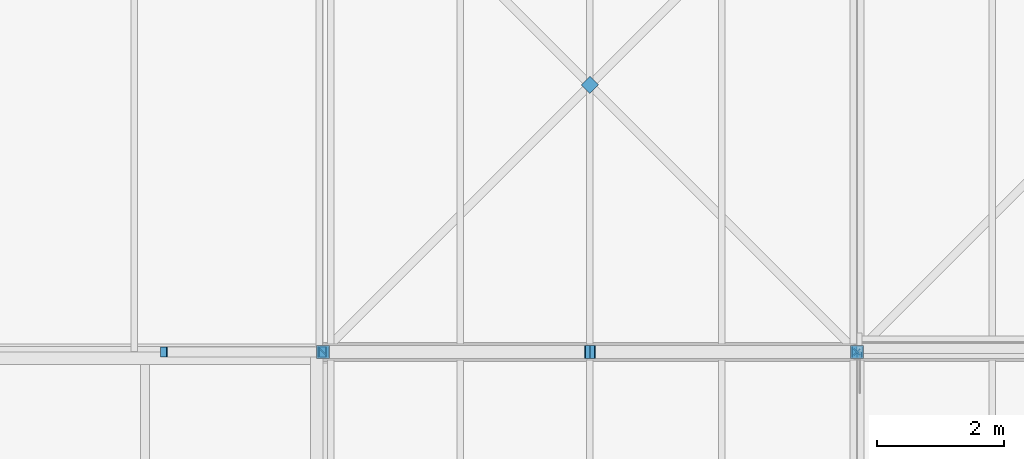
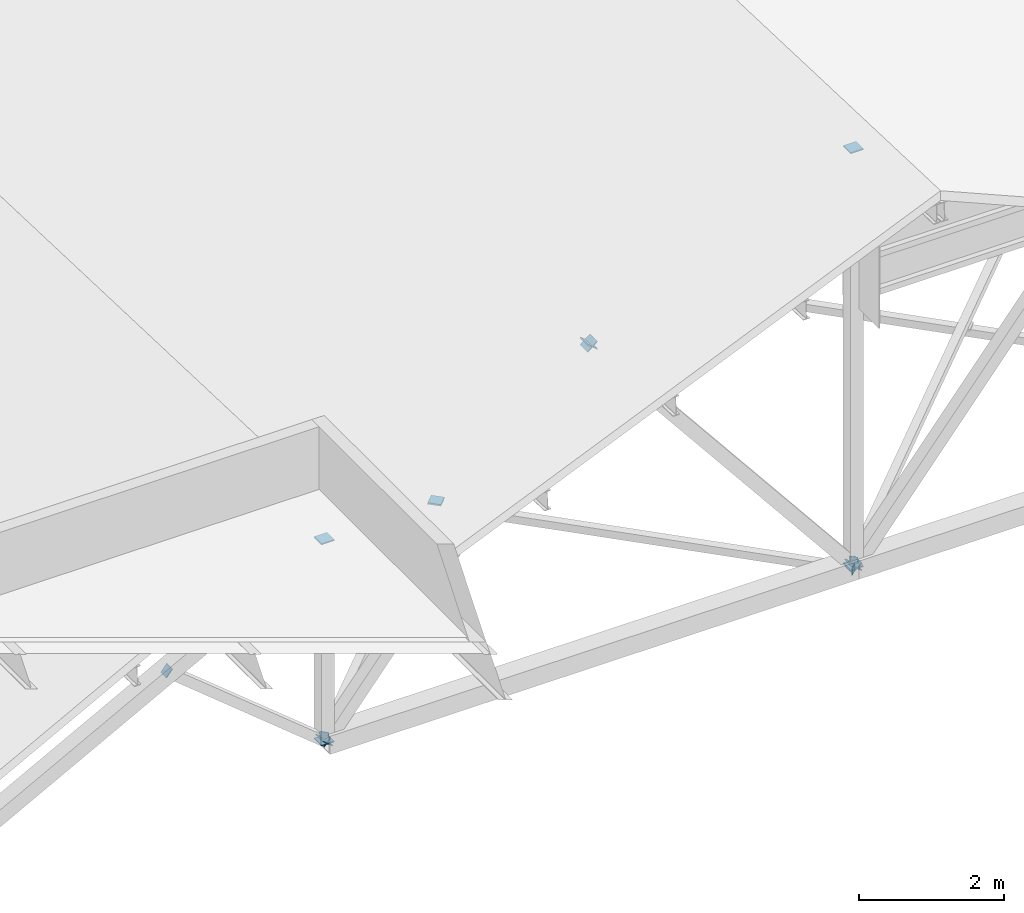
# One storey, part 41 of 76: 15 discrete accessories.
"""IFC4 building model written with IfcOpenShell, lengths in metres."""

from ifc_helpers import new_model, si_unit, direction, frame, origin, origin_2d, place, context, subcontext, project, spatial, rectangle, extrude, material, element, save


model = new_model("IFC4")

# Units and contexts
model_context = context("Model", 3, precision=1e-05, world=origin(), true_north=direction((0.0, 1.0)))
body_context = subcontext(model_context, "Body", "Model", "MODEL_VIEW")
ifc_project = project(units=[si_unit("LENGTHUNIT", "METRE"), si_unit("AREAUNIT", "SQUARE_METRE"), si_unit("VOLUMEUNIT", "CUBIC_METRE"), si_unit("PLANEANGLEUNIT", "RADIAN"), si_unit("MASSUNIT", "GRAM", prefix="KILO")], contexts=[model_context])

# Site, building, storey
site_placement = place(None, origin())
site = spatial("IfcSite", under=ifc_project, at=site_placement, CompositionType="ELEMENT")
building_placement = place(site_placement, origin())
building = spatial("IfcBuilding", under=site, at=building_placement, Name="Hlaing Beacon Police Headquarters", CompositionType="ELEMENT")
storey_placement = place(building_placement, frame((0.0, 0.0, 18.89990234375)))
storey = spatial("IfcBuildingStorey", under=building, at=storey_placement, Name="L04", CompositionType="ELEMENT", Elevation=18.89990234375)

# Discrete accessories
ifc_material = material(Name="Steel ASTM A572 Grade 50", Category="steel")
for number, where, z_axis, x_axis, name in (
    (1, (58.800048828125, 33.60009765625, -4.33740234375), (0.0, 0.0, -1.0), (1.0, 0.0, 0.0), "Gusset plate GP-233"),
    (2, (58.800048828125, 33.60009765625, -0.979248046875), (0.0, 0.0, 1.0), (1.0, 0.0, 0.0), "Gusset plate GP-234"),
    (3, (67.199951171875, 33.60009765625, -4.33740234375), (0.0, 0.0, -1.0), (1.0, 0.0, 0.0), "Gusset plate GP-235"),
    (4, (67.199951171875, 33.60009765625, 2.644287109375), (0.0, 0.0, 1.0), (1.0, 0.0, 0.0), "Gusset plate GP-236"),
):
    element("IfcDiscreteAccessory", number, at=place(storey_placement, frame(where, z_axis=z_axis, x_axis=x_axis)), inside=storey, material=ifc_material, Name=name, PredefinedType="BRACKET", context=body_context, shape_type="SweptSolid", body=[
        extrude(rectangle(XDim=0.203125, YDim=0.203125, at=origin_2d()), origin(), (0.0, 0.0, 1.0), 0.02001953125),
    ])
for number, where, z_axis, x_axis, name in (
    (5, (58.80517578125, 33.60009765625, -4.34130859375), (-0.629086713526, 0.0, -0.777335131629), (0.0, -1.0, 0.0), "Gusset plate GP-243"),
    (6, (62.994873046875, 33.60009765625, 0.836181640625), (0.629086713526, 0.0, 0.777335131629), (0.0, 1.0, 0.0), "Gusset plate GP-244"),
    (7, (63.005126953125, 33.60009765625, 0.836181640625), (-0.629086713526, 0.0, 0.777335131629), (0.0, -1.0, 0.0), "Gusset plate GP-245"),
    (8, (67.19482421875, 33.60009765625, -4.34130859375), (0.629086713526, 0.0, -0.777335131629), (0.0, 1.0, 0.0), "Gusset plate GP-246"),
    (9, (67.205078125, 33.60009765625, -4.34130859375), (-0.629086713526, 0.0, -0.777335131629), (0.0, -1.0, 0.0), "Gusset plate GP-247"),
):
    element("IfcDiscreteAccessory", number, at=place(storey_placement, frame(where, z_axis=z_axis, x_axis=x_axis)), inside=storey, material=ifc_material, Name=name, PredefinedType="BRACKET", context=body_context, shape_type="SweptSolid", body=[
        extrude(rectangle(XDim=0.203125, YDim=0.203125, at=origin_2d()), origin(), (0.0, 0.0, 1.0), 0.01611328125),
    ])
for number, where, z_axis, x_axis, name in (
    (10, (58.7939453125, 33.60009765625, -4.34228515625), (0.774816252663, 0.0, -0.632186503027), (0.0, 1.0, 0.0), "Gusset plate GP-259"),
    (11, (56.30615234375, 33.60009765625, -2.312744140625), (-0.774816252663, 0.0, 0.632186503027), (0.0, -1.0, 0.0), "Gusset plate GP-260"),
):
    element("IfcDiscreteAccessory", number, at=place(storey_placement, frame(where, z_axis=z_axis, x_axis=x_axis)), inside=storey, material=ifc_material, Name=name, PredefinedType="BRACKET", context=body_context, shape_type="SweptSolid", body=[
        extrude(rectangle(XDim=0.15234375, YDim=0.15234375, at=origin_2d()), origin(), (0.0, 0.0, 1.0), 0.01611328125),
    ])
for number, where, z_axis, x_axis, name in (
    (12, (58.80419921875, 33.604248046875, -4.27392578125), (-0.707106781187, -0.707106781187, 0.0), (0.707106781187, -0.707106781187, 0.0), "Gusset plate GP-383"),
    (13, (67.195556640625, 33.6044921875, -4.4208984375), (0.707106781187, -0.707106781187, 0.0), (0.707106781187, 0.707106781187, 0.0), "Gusset plate GP-386"),
    (14, (67.2041015625, 33.604248046875, -4.27392578125), (-0.707117056885, -0.707096505339, 0.0), (0.707096505339, -0.707117056885, 0.0), "Gusset plate GP-387"),
):
    element("IfcDiscreteAccessory", number, at=place(storey_placement, frame(where, z_axis=z_axis, x_axis=x_axis)), inside=storey, material=ifc_material, Name=name, PredefinedType="BRACKET", context=body_context, shape_type="SweptSolid", body=[
        extrude(rectangle(XDim=0.126953125, YDim=0.126953125, at=origin_2d()), origin(), (0.0, 0.0, 1.0), 0.011962890625),
    ])
discrete_accessory_placement = place(storey_placement, frame((63.0, 37.800048828125, -4.360595703125), z_axis=(0.0, 0.0, 1.0), x_axis=(0.707106781187, 0.707106781187, 0.0)))
element("IfcDiscreteAccessory", 15, at=discrete_accessory_placement, inside=storey, material=ifc_material, Name="Node plate NP-001", PredefinedType="BRACKET", context=body_context, shape_type="SweptSolid", body=[
    extrude(rectangle(XDim=0.1904296875, YDim=0.1904296875, at=origin_2d()), origin(), (0.0, 0.0, 1.0), 0.02587890625),
])

save(model, "model.ifc")
